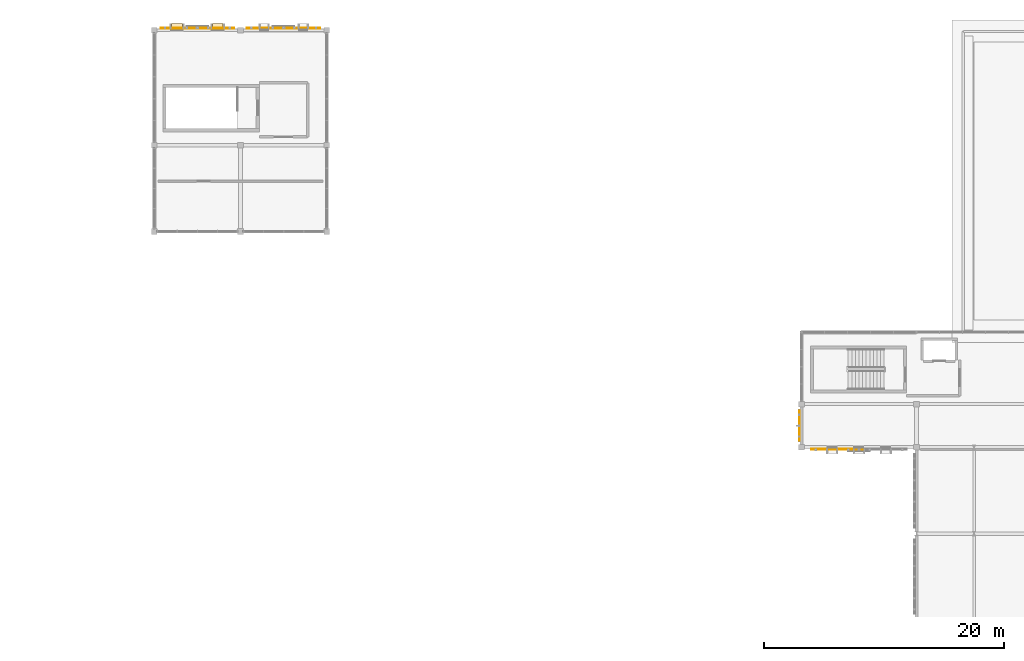
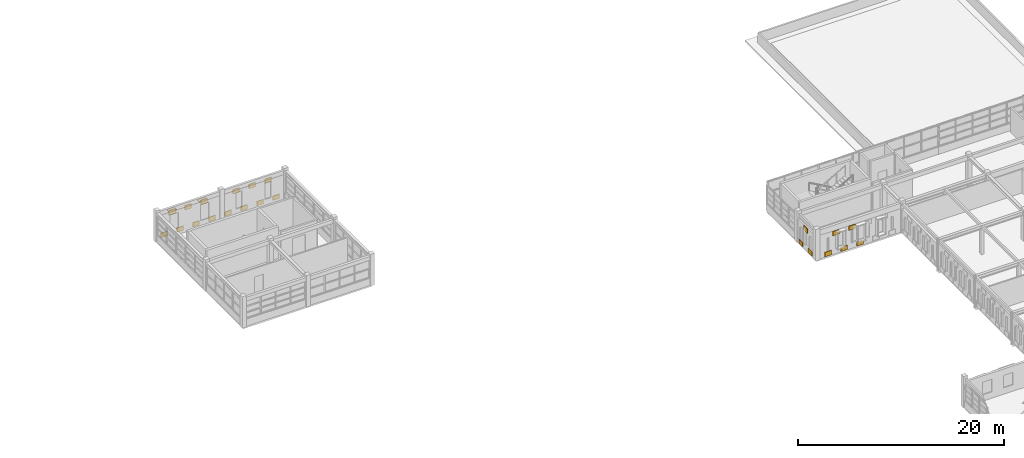
# One storey, part 52 of 53: 24 coverings.
"""IFC4 building model written with IfcOpenShell, lengths in metres."""

from ifc_helpers import new_model, si_unit, direction, frame, origin, origin_2d, place, context, subcontext, project, spatial, rectangle, extrude, material, layer, layer_set, type_object, element, save


model = new_model("IFC4")

# Units and contexts
model_context = context("Model", 3, precision=1e-05, world=origin(), true_north=direction((0.0, 1.0)))
body_context = subcontext(model_context, "Body", "Model", "MODEL_VIEW")
ifc_project = project(units=[si_unit("LENGTHUNIT", "METRE"), si_unit("AREAUNIT", "SQUARE_METRE"), si_unit("VOLUMEUNIT", "CUBIC_METRE"), si_unit("PLANEANGLEUNIT", "RADIAN"), si_unit("MASSUNIT", "GRAM", prefix="KILO")], contexts=[model_context])

# Site, building, storey
site_placement = place(None, origin())
site = spatial("IfcSite", under=ifc_project, at=site_placement, CompositionType="ELEMENT")
building_placement = place(site_placement, origin())
building = spatial("IfcBuilding", under=site, at=building_placement, Name="Nzembalo Square Collegiate School", CompositionType="ELEMENT")
storey_placement = place(building_placement, frame((0.0, 0.0, 13.60009765625)))
storey = spatial("IfcBuildingStorey", under=building, at=storey_placement, Name="L03", CompositionType="ELEMENT", Elevation=13.60009765625)

# Coverings
ifc_material_1 = material(Name="Glazed cobalt ceramic patterned tile")
ifc_layer_1 = layer(ifc_material_1, 0.074951171875, Name="Glazed cobalt ceramic patterned tile")
ifc_layer_set_1 = layer_set([ifc_layer_1], Name="Glazed cobalt ceramic patterned tile")
covering_type_1 = type_object("IfcCoveringType", Name="CL01", PredefinedType="CLADDING", material=ifc_layer_set_1)
for number, where, z_axis, x_axis, name in (
    (1, (132.0, 79.050048828125, 0.099853515625), (0.0, 0.0, 1.0), (1.0, 0.0, 0.0), "Patterned ceramic tile CL01-X0203-0-0"),
    (2, (132.89990234375, 79.050048828125, 2.268798828125), (0.0, 0.0, 1.0), (1.0, 0.0, 0.0), "Patterned ceramic tile CL01-X0203-1-1"),
    (3, (133.800048828125, 79.050048828125, 0.099853515625), (0.0, 0.0, 1.0), (1.0, 0.0, 0.0), "Patterned ceramic tile CL01-X0203-2-0"),
    (4, (134.699951171875, 79.050048828125, 2.268798828125), (0.0, 0.0, 1.0), (1.0, 0.0, 0.0), "Patterned ceramic tile CL01-X0203-3-1"),
    (5, (135.60009765625, 79.050048828125, 0.099853515625), (0.0, 0.0, 1.0), (1.0, 0.0, 0.0), "Patterned ceramic tile CL01-X0203-4-0"),
):
    element("IfcCovering", number, at=place(storey_placement, frame(where, z_axis=z_axis, x_axis=x_axis)), inside=storey, type_object=covering_type_1, Name=name, PredefinedType="CLADDING", context=body_context, shape_type="SweptSolid", body=[
        extrude(rectangle(XDim=0.739990234375, YDim=0.074951171875, at=origin_2d()), origin(), (0.0, 0.0, 1.0), 0.52001953125),
    ])
for number, where, z_axis, x_axis, name in (
    (6, (130.639892578125, 80.10009765625, 0.099853515625), (0.0, 0.0, 1.0), (1.0, 0.0, 0.0), "Patterned ceramic tile CL01-Y0204-0-0"),
    (7, (130.639892578125, 81.0, 2.268798828125), (0.0, 0.0, 1.0), (1.0, 0.0, 0.0), "Patterned ceramic tile CL01-Y0204-1-1"),
    (8, (130.639892578125, 81.89990234375, 0.099853515625), (0.0, 0.0, 1.0), (1.0, 0.0, 0.0), "Patterned ceramic tile CL01-Y0204-2-0"),
):
    element("IfcCovering", number, at=place(storey_placement, frame(where, z_axis=z_axis, x_axis=x_axis)), inside=storey, type_object=covering_type_1, Name=name, PredefinedType="CLADDING", context=body_context, shape_type="SweptSolid", body=[
        extrude(rectangle(XDim=0.074951171875, YDim=0.739990234375, at=origin_2d()), origin(), (0.0, 0.0, 1.0), 0.52001953125),
    ])
for number, where, z_axis, x_axis, name in (
    (9, (77.699951171875, 114.14990234375, 0.099853515625), (0.0, 0.0, 1.0), (1.0, 0.0, 0.0), "Patterned ceramic tile CL01-X0239-0-0"),
    (10, (78.60009765625, 114.14990234375, 2.428955078125), (0.0, 0.0, 1.0), (1.0, 0.0, 0.0), "Patterned ceramic tile CL01-X0239-1-1"),
    (11, (79.5, 114.14990234375, 0.099853515625), (0.0, 0.0, 1.0), (1.0, 0.0, 0.0), "Patterned ceramic tile CL01-X0239-2-0"),
    (12, (80.39990234375, 114.14990234375, 2.428955078125), (0.0, 0.0, 1.0), (1.0, 0.0, 0.0), "Patterned ceramic tile CL01-X0239-3-1"),
    (13, (81.300048828125, 114.14990234375, 0.099853515625), (0.0, 0.0, 1.0), (1.0, 0.0, 0.0), "Patterned ceramic tile CL01-X0239-4-0"),
    (14, (82.199951171875, 114.14990234375, 2.428955078125), (0.0, 0.0, 1.0), (1.0, 0.0, 0.0), "Patterned ceramic tile CL01-X0239-5-1"),
    (15, (83.10009765625, 114.14990234375, 0.099853515625), (0.0, 0.0, 1.0), (1.0, 0.0, 0.0), "Patterned ceramic tile CL01-X0239-6-0"),
    (16, (84.89990234375, 114.159912109375, 0.099853515625), (0.0, 0.0, 1.0), (1.0, 0.0, 0.0), "Patterned ceramic tile CL01-X0240-0-0"),
    (17, (85.800048828125, 114.159912109375, 2.428955078125), (0.0, 0.0, 1.0), (1.0, 0.0, 0.0), "Patterned ceramic tile CL01-X0240-1-1"),
    (18, (86.699951171875, 114.159912109375, 0.099853515625), (0.0, 0.0, 1.0), (1.0, 0.0, 0.0), "Patterned ceramic tile CL01-X0240-2-0"),
    (19, (87.60009765625, 114.159912109375, 2.428955078125), (0.0, 0.0, 1.0), (1.0, 0.0, 0.0), "Patterned ceramic tile CL01-X0240-3-1"),
    (20, (88.5, 114.159912109375, 0.099853515625), (0.0, 0.0, 1.0), (1.0, 0.0, 0.0), "Patterned ceramic tile CL01-X0240-4-0"),
    (21, (89.39990234375, 114.159912109375, 2.428955078125), (0.0, 0.0, 1.0), (1.0, 0.0, 0.0), "Patterned ceramic tile CL01-X0240-5-1"),
    (22, (90.300048828125, 114.159912109375, 0.099853515625), (0.0, 0.0, 1.0), (1.0, 0.0, 0.0), "Patterned ceramic tile CL01-X0240-6-0"),
):
    element("IfcCovering", number, at=place(storey_placement, frame(where, z_axis=z_axis, x_axis=x_axis)), inside=storey, type_object=covering_type_1, Name=name, PredefinedType="CLADDING", context=body_context, shape_type="SweptSolid", body=[
        extrude(rectangle(XDim=0.739990234375, YDim=0.074951171875, at=origin_2d()), origin(), (0.0, 0.0, 1.0), 0.52001953125),
    ])
ifc_material_2 = material(Name="Glazed celadon ceramic window frame")
ifc_layer_2 = layer(ifc_material_2, 0.419921875, Name="Glazed celadon ceramic window frame")
ifc_layer_set_2 = layer_set([ifc_layer_2], Name="Glazed celadon ceramic window frame")
covering_type_2 = type_object("IfcCoveringType", Name="WF01", PredefinedType="CLADDING", material=ifc_layer_set_2)
for number, where, z_axis, x_axis, name in (
    (23, (78.696044921875, 114.327392578125, 2.73974609375), (0.0, 0.0, 1.0), (1.0, 0.0, 0.0), "Pointed lancet gable WF01-0781-1"),
    (24, (82.10400390625, 114.327392578125, 2.73974609375), (0.0, 0.0, 1.0), (1.0, 0.0, 0.0), "Pointed lancet gable WF01-0782-1"),
):
    element("IfcCovering", number, at=place(storey_placement, frame(where, z_axis=z_axis, x_axis=x_axis)), inside=storey, type_object=covering_type_2, Name=name, PredefinedType="CLADDING", context=body_context, shape_type="SweptSolid", body=[
        extrude(rectangle(XDim=0.89697265625, YDim=0.419921875, at=origin_2d()), origin(), (0.0, 0.0, 1.0), 0.1201171875),
    ])

save(model, "model.ifc")
